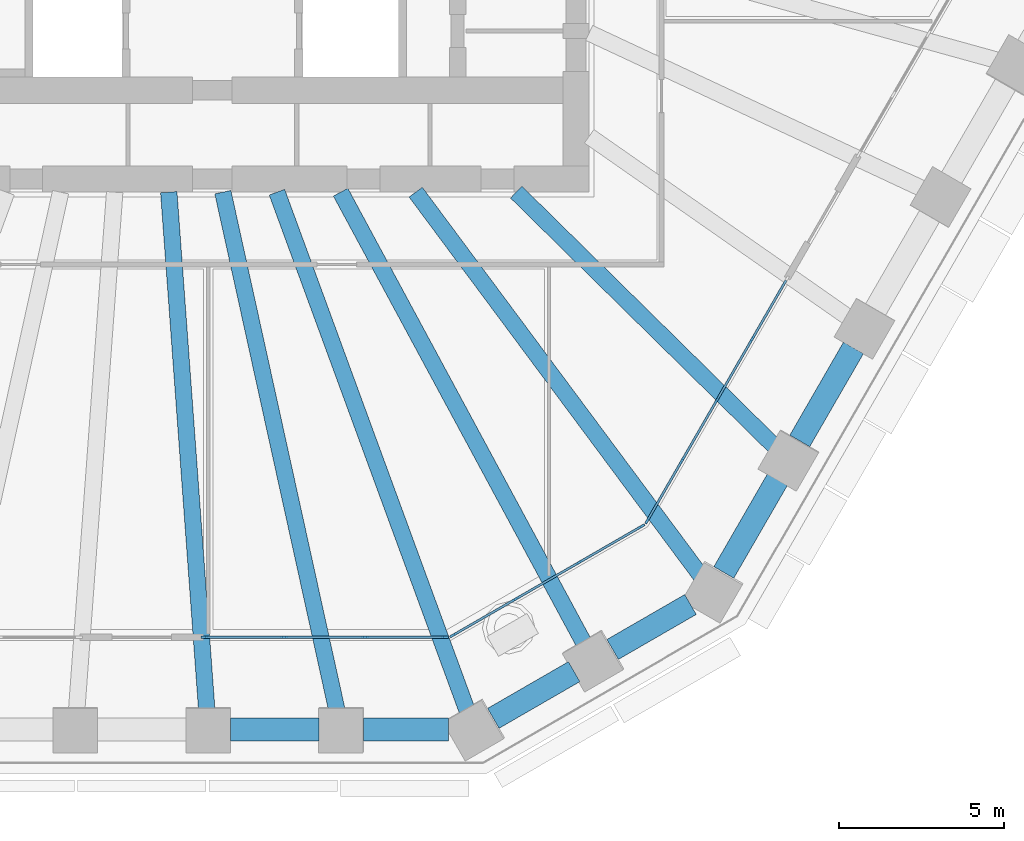
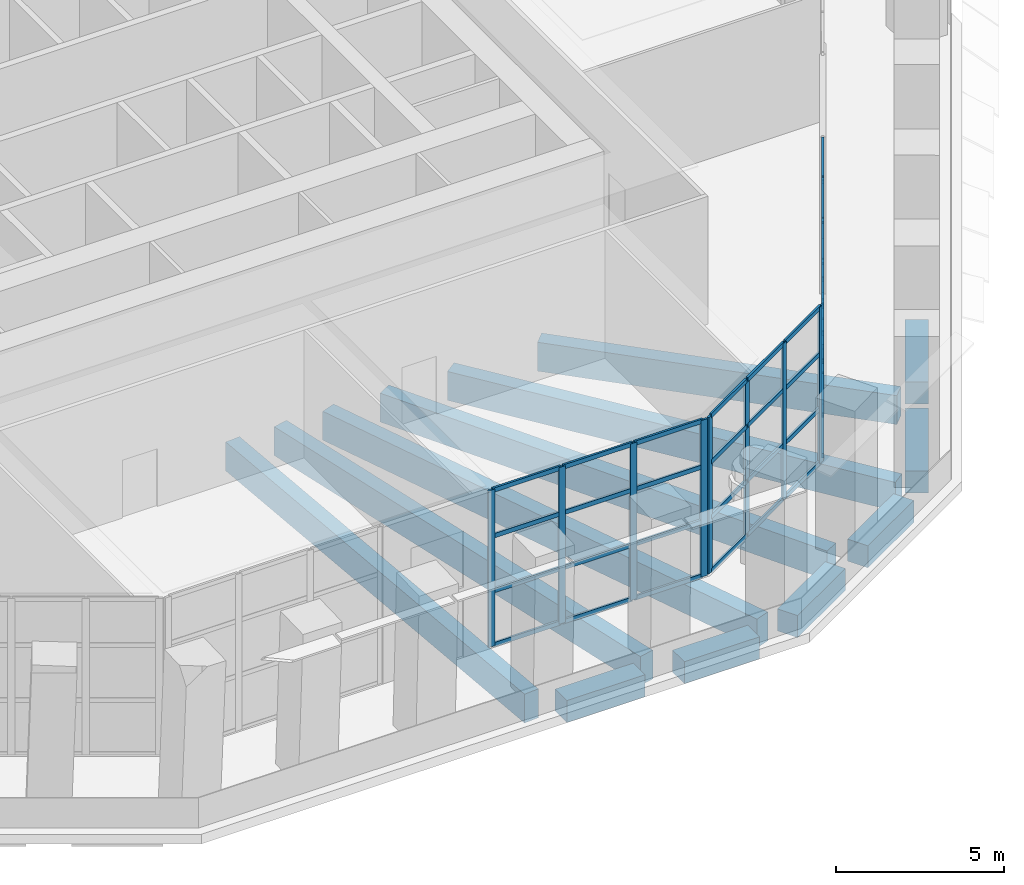
# One storey, part 4 of 22: 52 members, 12 beams, 3 elements without a shape of their own.
"""IFC4 building model written with IfcOpenShell, lengths in metres."""

from ifc_helpers import new_model, si_unit, direction, frame, origin, origin_2d, place, context, subcontext, project, spatial, rectangle, extrude, material, material_profile, profile_set, type_object, element, aggregate, save


model = new_model("IFC4")

# Units and contexts
model_context = context("Model", 3, precision=1e-05, world=origin(), true_north=direction((0.0, 1.0)))
body_context = subcontext(model_context, "Body", "Model", "MODEL_VIEW")
ifc_project = project(units=[si_unit("LENGTHUNIT", "METRE"), si_unit("AREAUNIT", "SQUARE_METRE"), si_unit("VOLUMEUNIT", "CUBIC_METRE"), si_unit("PLANEANGLEUNIT", "RADIAN"), si_unit("MASSUNIT", "GRAM", prefix="KILO")], contexts=[model_context])

# Site, building, storey
site_placement = place(None, origin())
site = spatial("IfcSite", under=ifc_project, at=site_placement, CompositionType="ELEMENT")
building_placement = place(site_placement, origin())
building = spatial("IfcBuilding", under=site, at=building_placement, Name="Frailejon Research Tower", CompositionType="ELEMENT")
storey_placement = place(building_placement, frame((0.0, 0.0, 107.199951171875)))
storey = spatial("IfcBuildingStorey", under=building, at=storey_placement, Name="L23", CompositionType="ELEMENT", Elevation=107.199951171875)

# Beams
ifc_material_1 = material(Name="Concrete C60/75", Category="concrete")
ifc_material_profile_1 = material_profile(ifc_material_1, rectangle(XDim=0.5, YDim=1.050048828125, at=origin_2d()), Name="Girder 500x1050")
ifc_profile_set_1 = profile_set([ifc_material_profile_1], Name="Concrete C60/75")
beam_type_1 = type_object("IfcBeamType", Name="Girder 500x1050", PredefinedType="BEAM", material=ifc_profile_set_1)
beam_1_placement = place(storey_placement, frame((1.981689453125, -27.00439453125, -0.824951171875), z_axis=(-0.073179335607, 0.997318797998, 0.0), x_axis=(-0.997318797998, -0.073179335607, 0.0)))
element("IfcBeam", 1, at=beam_1_placement, inside=storey, type_object=beam_type_1, Name="Girder 500x1050", PredefinedType="BEAM", context=body_context, shape_type="SweptSolid", body=[
    extrude(rectangle(XDim=0.5, YDim=1.050048828125, at=origin_2d()), origin(), (0.0, 0.0, 1.0), 15.846923828125),
])
beam_2_placement = place(storey_placement, frame((5.944091796875, -27.001220703125, -0.824951171875), z_axis=(-0.214993618571, 0.976615453479, 0.0), x_axis=(-0.976615453479, -0.214993618571, 0.0)))
element("IfcBeam", 2, at=beam_2_placement, inside=storey, type_object=beam_type_1, Name="Girder 500x1050", PredefinedType="BEAM", context=body_context, shape_type="SweptSolid", body=[
    extrude(rectangle(XDim=0.5, YDim=1.050048828125, at=origin_2d()), origin(), (0.0, 0.0, 1.0), 16.1796875),
])
beam_3_placement = place(storey_placement, frame((9.91650390625, -27.02734375, -0.824951171875), z_axis=(-0.344450797926, 0.938804371426, 0.0), x_axis=(-0.938804371426, -0.344450797926, 0.0)))
element("IfcBeam", 3, at=beam_3_placement, inside=storey, type_object=beam_type_1, Name="Girder 500x1050", PredefinedType="BEAM", context=body_context, shape_type="SweptSolid", body=[
    extrude(rectangle(XDim=0.5, YDim=1.050048828125, at=origin_2d()), origin(), (0.0, 0.0, 1.0), 16.859130859375),
])
beam_4_placement = place(storey_placement, frame((13.477783203125, -24.9736328125, -0.824951171875), z_axis=(-0.474929341402, 0.880023931877, 0.0), x_axis=(-0.880023931877, -0.474929341402, 0.0)))
element("IfcBeam", 4, at=beam_4_placement, inside=storey, type_object=beam_type_1, Name="Girder 500x1050", PredefinedType="BEAM", context=body_context, shape_type="SweptSolid", body=[
    extrude(rectangle(XDim=0.5, YDim=1.050048828125, at=origin_2d()), origin(), (0.0, 0.0, 1.0), 15.6513671875),
])
beam_5_placement = place(storey_placement, frame((17.004638671875, -22.872314453125, -0.824951171875), z_axis=(-0.596637633836, 0.802510768707, 0.0), x_axis=(-0.802510768707, -0.596637633836, 0.0)))
element("IfcBeam", 5, at=beam_5_placement, inside=storey, type_object=beam_type_1, Name="Girder 500x1050", PredefinedType="BEAM", context=body_context, shape_type="SweptSolid", body=[
    extrude(rectangle(XDim=0.5, YDim=1.050048828125, at=origin_2d()), origin(), (0.0, 0.0, 1.0), 14.544921875),
])
beam_6_placement = place(storey_placement, frame((19.271484375, -18.96142578125, -0.824951171875), z_axis=(-0.712819428468, 0.701347604544, 0.0), x_axis=(-0.701347604544, -0.712819428468, 0.0)))
element("IfcBeam", 6, at=beam_6_placement, inside=storey, type_object=beam_type_1, Name="Girder 500x1050", PredefinedType="BEAM", context=body_context, shape_type="SweptSolid", body=[
    extrude(rectangle(XDim=0.5, YDim=1.050048828125, at=origin_2d()), origin(), (0.0, 0.0, 1.0), 11.06640625),
])

# Curtain wall, members
ifc_material_2 = material(Name="Aluminium curtain wall", Category="aluminium")
curtain_wall_type = type_object("IfcCurtainWallType", Name="Sky lobby curtain wall system", PredefinedType="NOTDEFINED", material=ifc_material_2)
curtain_wall_1_placement = place(storey_placement, origin())
curtain_wall_1 = element("IfcCurtainWall", 7, at=curtain_wall_1_placement, inside=storey, type_object=curtain_wall_type, Name="Curtain wall L23", PredefinedType="NOTDEFINED")
ifc_material_3 = material(Name="Aluminium extrusion", Category="aluminium")
ifc_material_profile_2 = material_profile(ifc_material_3, rectangle(XDim=0.070068359375, YDim=0.219970703125, at=origin_2d()), Name="Sky lobby curtain wall mullion 70x220")
ifc_profile_set_2 = profile_set([ifc_material_profile_2], Name="Aluminium extrusion")
member_type_1 = type_object("IfcMemberType", Name="Sky lobby curtain wall mullion 70x220", PredefinedType="MULLION", material=ifc_profile_set_2)
member_1_placement = place(storey_placement, frame((1.905029296875, -24.729736328125, 0.0), z_axis=(0.0, 0.0, 1.0), x_axis=(0.0, 1.0, 0.0)))
member_1 = element("IfcMember", 8, at=member_1_placement, type_object=member_type_1, Name="CW4-095 mullion 1", PredefinedType="MULLION", context=body_context, shape_type="SweptSolid", body=[
    extrude(rectangle(XDim=0.070068359375, YDim=0.219970703125, at=origin_2d()), origin(), (0.0, 0.0, 1.0), 5.699951171875),
])
member_2_placement = place(storey_placement, frame((4.330322265625, -24.729736328125, 0.0), z_axis=(0.0, 0.0, 1.0), x_axis=(0.0, 1.0, 0.0)))
member_2 = element("IfcMember", 9, at=member_2_placement, type_object=member_type_1, Name="CW4-095 mullion 2", PredefinedType="MULLION", context=body_context, shape_type="SweptSolid", body=[
    extrude(rectangle(XDim=0.070068359375, YDim=0.219970703125, at=origin_2d()), origin(), (0.0, 0.0, 1.0), 5.699951171875),
])
member_3_placement = place(storey_placement, frame((6.79052734375, -24.729736328125, 0.0), z_axis=(0.0, 0.0, 1.0), x_axis=(0.0, 1.0, 0.0)))
member_3 = element("IfcMember", 10, at=member_3_placement, type_object=member_type_1, Name="CW4-095 mullion 3", PredefinedType="MULLION", context=body_context, shape_type="SweptSolid", body=[
    extrude(rectangle(XDim=0.070068359375, YDim=0.219970703125, at=origin_2d()), origin(), (0.0, 0.0, 1.0), 5.699951171875),
])
member_4_placement = place(storey_placement, frame((9.215576171875, -24.729736328125, 0.0), z_axis=(0.0, 0.0, 1.0), x_axis=(0.0, 1.0, 0.0)))
member_4 = element("IfcMember", 11, at=member_4_placement, type_object=member_type_1, Name="CW4-095 mullion 4", PredefinedType="MULLION", context=body_context, shape_type="SweptSolid", body=[
    extrude(rectangle(XDim=0.070068359375, YDim=0.219970703125, at=origin_2d()), origin(), (0.0, 0.0, 1.0), 5.699951171875),
])

curtain_wall_2_placement = place(storey_placement, origin())
curtain_wall_2 = element("IfcCurtainWall", 12, at=curtain_wall_2_placement, inside=storey, type_object=curtain_wall_type, Name="Curtain wall L23", PredefinedType="NOTDEFINED")
member_5_placement = place(storey_placement, frame((9.467529296875, -24.662109375, 0.0), z_axis=(0.0, 0.0, 1.0), x_axis=(-0.50000949527, 0.866019921618, 0.0)))
member_5 = element("IfcMember", 13, at=member_5_placement, type_object=member_type_1, Name="CW4-096 mullion 1", PredefinedType="MULLION", context=body_context, shape_type="SweptSolid", body=[
    extrude(rectangle(XDim=0.070068359375, YDim=0.219970703125, at=origin_2d()), origin(), (0.0, 0.0, 1.0), 5.699951171875),
])
member_6_placement = place(storey_placement, frame((11.364013671875, -23.567138671875, 0.0), z_axis=(0.0, 0.0, 1.0), x_axis=(-0.50000949527, 0.866019921618, 0.0)))
member_6 = element("IfcMember", 14, at=member_6_placement, type_object=member_type_1, Name="CW4-096 mullion 2", PredefinedType="MULLION", context=body_context, shape_type="SweptSolid", body=[
    extrude(rectangle(XDim=0.070068359375, YDim=0.219970703125, at=origin_2d()), origin(), (0.0, 0.0, 1.0), 5.699951171875),
])
member_7_placement = place(storey_placement, frame((13.290771484375, -22.454833984375, 0.0), z_axis=(0.0, 0.0, 1.0), x_axis=(-0.50000949527, 0.866019921618, 0.0)))
member_7 = element("IfcMember", 15, at=member_7_placement, type_object=member_type_1, Name="CW4-096 mullion 3", PredefinedType="MULLION", context=body_context, shape_type="SweptSolid", body=[
    extrude(rectangle(XDim=0.070068359375, YDim=0.219970703125, at=origin_2d()), origin(), (0.0, 0.0, 1.0), 5.699951171875),
])
member_8_placement = place(storey_placement, frame((15.187255859375, -21.35986328125, 0.0), z_axis=(0.0, 0.0, 1.0), x_axis=(-0.50000949527, 0.866019921618, 0.0)))
member_8 = element("IfcMember", 16, at=member_8_placement, type_object=member_type_1, Name="CW4-096 mullion 4", PredefinedType="MULLION", context=body_context, shape_type="SweptSolid", body=[
    extrude(rectangle(XDim=0.070068359375, YDim=0.219970703125, at=origin_2d()), origin(), (0.0, 0.0, 1.0), 5.699951171875),
])

curtain_wall_3_placement = place(storey_placement, origin())
curtain_wall_3 = element("IfcCurtainWall", 17, at=curtain_wall_3_placement, inside=storey, type_object=curtain_wall_type, Name="Curtain wall L23", PredefinedType="NOTDEFINED")
member_9_placement = place(storey_placement, frame((15.37158203125, -21.17529296875, 0.0), z_axis=(0.0, 0.0, 1.0), x_axis=(-0.866025500668, 0.499999832193, 0.0)))
member_9 = element("IfcMember", 18, at=member_9_placement, type_object=member_type_1, Name="CW4-097 mullion 1", PredefinedType="MULLION", context=body_context, shape_type="SweptSolid", body=[
    extrude(rectangle(XDim=0.070068359375, YDim=0.219970703125, at=origin_2d()), origin(), (0.0, 0.0, 1.0), 5.699951171875),
])
member_10_placement = place(storey_placement, frame((16.42041015625, -19.35888671875, 0.0), z_axis=(0.0, 0.0, 1.0), x_axis=(-0.866025500668, 0.499999832193, 0.0)))
member_10 = element("IfcMember", 19, at=member_10_placement, type_object=member_type_1, Name="CW4-097 mullion 2", PredefinedType="MULLION", context=body_context, shape_type="SweptSolid", body=[
    extrude(rectangle(XDim=0.070068359375, YDim=0.219970703125, at=origin_2d()), origin(), (0.0, 0.0, 1.0), 5.699951171875),
])
member_11_placement = place(storey_placement, frame((17.48681640625, -17.51220703125, 0.0), z_axis=(0.0, 0.0, 1.0), x_axis=(-0.866025500668, 0.499999832193, 0.0)))
member_11 = element("IfcMember", 20, at=member_11_placement, type_object=member_type_1, Name="CW4-097 mullion 3", PredefinedType="MULLION", context=body_context, shape_type="SweptSolid", body=[
    extrude(rectangle(XDim=0.070068359375, YDim=0.219970703125, at=origin_2d()), origin(), (0.0, 0.0, 1.0), 5.699951171875),
])
member_12_placement = place(storey_placement, frame((18.552978515625, -15.665283203125, 0.0), z_axis=(0.0, 0.0, 1.0), x_axis=(-0.866025500668, 0.499999832193, 0.0)))
member_12 = element("IfcMember", 21, at=member_12_placement, type_object=member_type_1, Name="CW4-097 mullion 4", PredefinedType="MULLION", context=body_context, shape_type="SweptSolid", body=[
    extrude(rectangle(XDim=0.070068359375, YDim=0.219970703125, at=origin_2d()), origin(), (0.0, 0.0, 1.0), 5.699951171875),
])

# Member
ifc_material_4 = material(Name="Aluminium extrusion", Category="aluminium")
ifc_material_profile_3 = material_profile(ifc_material_4, rectangle(XDim=0.070068359375, YDim=0.159912109375, at=origin_2d()), Name="Sky lobby curtain wall transom 70x160")
ifc_profile_set_3 = profile_set([ifc_material_profile_3], Name="Aluminium extrusion")
member_type_2 = type_object("IfcMemberType", Name="Sky lobby curtain wall transom 70x160", PredefinedType="USERDEFINED", material=ifc_profile_set_3)
member_13_placement = place(storey_placement, frame((1.940185546875, -24.729736328125, 0.03515625), z_axis=(1.0, 0.0, 0.0), x_axis=(0.0, 1.0, 0.0)))
member_13 = element("IfcMember", 22, at=member_13_placement, type_object=member_type_2, Name="CW4-095 transom 1.1", ObjectType="TRANSOM", PredefinedType="USERDEFINED", context=body_context, shape_type="SweptSolid", body=[
    extrude(rectangle(XDim=0.070068359375, YDim=0.159912109375, at=origin_2d()), origin(), (0.0, 0.0, 1.0), 2.35498046875),
])

member_14_placement = place(storey_placement, frame((1.940185546875, -24.729736328125, 2.0), z_axis=(1.0, 0.0, 0.0), x_axis=(0.0, 1.0, 0.0)))
member_14 = element("IfcMember", 23, at=member_14_placement, type_object=member_type_2, Name="CW4-095 transom 1.2", ObjectType="TRANSOM", PredefinedType="USERDEFINED", context=body_context, shape_type="SweptSolid", body=[
    extrude(rectangle(XDim=0.070068359375, YDim=0.159912109375, at=origin_2d()), origin(), (0.0, 0.0, 1.0), 2.35498046875),
])

member_15_placement = place(storey_placement, frame((1.940185546875, -24.729736328125, 4.0), z_axis=(1.0, 0.0, 0.0), x_axis=(0.0, 1.0, 0.0)))
member_15 = element("IfcMember", 24, at=member_15_placement, type_object=member_type_2, Name="CW4-095 transom 1.3", ObjectType="TRANSOM", PredefinedType="USERDEFINED", context=body_context, shape_type="SweptSolid", body=[
    extrude(rectangle(XDim=0.070068359375, YDim=0.159912109375, at=origin_2d()), origin(), (0.0, 0.0, 1.0), 2.35498046875),
])

member_16_placement = place(storey_placement, frame((1.940185546875, -24.729736328125, 5.6650390625), z_axis=(1.0, 0.0, 0.0), x_axis=(0.0, 1.0, 0.0)))
member_16 = element("IfcMember", 25, at=member_16_placement, type_object=member_type_2, Name="CW4-095 transom 1.4", ObjectType="TRANSOM", PredefinedType="USERDEFINED", context=body_context, shape_type="SweptSolid", body=[
    extrude(rectangle(XDim=0.070068359375, YDim=0.159912109375, at=origin_2d()), origin(), (0.0, 0.0, 1.0), 2.35498046875),
])

member_17_placement = place(storey_placement, frame((4.365234375, -24.729736328125, 0.03515625), z_axis=(1.0, 0.0, 0.0), x_axis=(0.0, 1.0, 0.0)))
member_17 = element("IfcMember", 26, at=member_17_placement, type_object=member_type_2, Name="CW4-095 transom 2.1", ObjectType="TRANSOM", PredefinedType="USERDEFINED", context=body_context, shape_type="SweptSolid", body=[
    extrude(rectangle(XDim=0.070068359375, YDim=0.159912109375, at=origin_2d()), origin(), (0.0, 0.0, 1.0), 2.39013671875),
])

member_18_placement = place(storey_placement, frame((4.365234375, -24.729736328125, 2.0), z_axis=(1.0, 0.0, 0.0), x_axis=(0.0, 1.0, 0.0)))
member_18 = element("IfcMember", 27, at=member_18_placement, type_object=member_type_2, Name="CW4-095 transom 2.2", ObjectType="TRANSOM", PredefinedType="USERDEFINED", context=body_context, shape_type="SweptSolid", body=[
    extrude(rectangle(XDim=0.070068359375, YDim=0.159912109375, at=origin_2d()), origin(), (0.0, 0.0, 1.0), 2.39013671875),
])

member_19_placement = place(storey_placement, frame((4.365234375, -24.729736328125, 4.0), z_axis=(1.0, 0.0, 0.0), x_axis=(0.0, 1.0, 0.0)))
member_19 = element("IfcMember", 28, at=member_19_placement, type_object=member_type_2, Name="CW4-095 transom 2.3", ObjectType="TRANSOM", PredefinedType="USERDEFINED", context=body_context, shape_type="SweptSolid", body=[
    extrude(rectangle(XDim=0.070068359375, YDim=0.159912109375, at=origin_2d()), origin(), (0.0, 0.0, 1.0), 2.39013671875),
])

member_20_placement = place(storey_placement, frame((4.365234375, -24.729736328125, 5.6650390625), z_axis=(1.0, 0.0, 0.0), x_axis=(0.0, 1.0, 0.0)))
member_20 = element("IfcMember", 29, at=member_20_placement, type_object=member_type_2, Name="CW4-095 transom 2.4", ObjectType="TRANSOM", PredefinedType="USERDEFINED", context=body_context, shape_type="SweptSolid", body=[
    extrude(rectangle(XDim=0.070068359375, YDim=0.159912109375, at=origin_2d()), origin(), (0.0, 0.0, 1.0), 2.39013671875),
])

member_21_placement = place(storey_placement, frame((6.825439453125, -24.729736328125, 0.03515625), z_axis=(1.0, 0.0, 0.0), x_axis=(0.0, 1.0, 0.0)))
member_21 = element("IfcMember", 30, at=member_21_placement, type_object=member_type_2, Name="CW4-095 transom 3.1", ObjectType="TRANSOM", PredefinedType="USERDEFINED", context=body_context, shape_type="SweptSolid", body=[
    extrude(rectangle(XDim=0.070068359375, YDim=0.159912109375, at=origin_2d()), origin(), (0.0, 0.0, 1.0), 2.355224609375),
])

member_22_placement = place(storey_placement, frame((6.825439453125, -24.729736328125, 2.0), z_axis=(1.0, 0.0, 0.0), x_axis=(0.0, 1.0, 0.0)))
member_22 = element("IfcMember", 31, at=member_22_placement, type_object=member_type_2, Name="CW4-095 transom 3.2", ObjectType="TRANSOM", PredefinedType="USERDEFINED", context=body_context, shape_type="SweptSolid", body=[
    extrude(rectangle(XDim=0.070068359375, YDim=0.159912109375, at=origin_2d()), origin(), (0.0, 0.0, 1.0), 2.355224609375),
])

member_23_placement = place(storey_placement, frame((6.825439453125, -24.729736328125, 4.0), z_axis=(1.0, 0.0, 0.0), x_axis=(0.0, 1.0, 0.0)))
member_23 = element("IfcMember", 32, at=member_23_placement, type_object=member_type_2, Name="CW4-095 transom 3.3", ObjectType="TRANSOM", PredefinedType="USERDEFINED", context=body_context, shape_type="SweptSolid", body=[
    extrude(rectangle(XDim=0.070068359375, YDim=0.159912109375, at=origin_2d()), origin(), (0.0, 0.0, 1.0), 2.355224609375),
])

member_24_placement = place(storey_placement, frame((6.825439453125, -24.729736328125, 5.6650390625), z_axis=(1.0, 0.0, 0.0), x_axis=(0.0, 1.0, 0.0)))
member_24 = element("IfcMember", 33, at=member_24_placement, type_object=member_type_2, Name="CW4-095 transom 3.4", ObjectType="TRANSOM", PredefinedType="USERDEFINED", context=body_context, shape_type="SweptSolid", body=[
    extrude(rectangle(XDim=0.070068359375, YDim=0.159912109375, at=origin_2d()), origin(), (0.0, 0.0, 1.0), 2.355224609375),
])

aggregate(curtain_wall_1, [member_1, member_2, member_3, member_4, member_13, member_14, member_15, member_16, member_17, member_18, member_19, member_20, member_21, member_22, member_23, member_24])

member_25_placement = place(storey_placement, frame((9.497802734375, -24.644775390625, 0.03515625), z_axis=(0.866009148195, 0.50002815445, 0.0), x_axis=(-0.50002815445, 0.866009148195, 0.0)))
member_25 = element("IfcMember", 34, at=member_25_placement, type_object=member_type_2, Name="CW4-096 transom 1.1", ObjectType="TRANSOM", PredefinedType="USERDEFINED", context=body_context, shape_type="SweptSolid", body=[
    extrude(rectangle(XDim=0.070068359375, YDim=0.159912109375, at=origin_2d()), origin(), (0.0, 0.0, 1.0), 2.1201171875),
])

member_26_placement = place(storey_placement, frame((9.497802734375, -24.644775390625, 2.0), z_axis=(0.866009148195, 0.50002815445, 0.0), x_axis=(-0.50002815445, 0.866009148195, 0.0)))
member_26 = element("IfcMember", 35, at=member_26_placement, type_object=member_type_2, Name="CW4-096 transom 1.2", ObjectType="TRANSOM", PredefinedType="USERDEFINED", context=body_context, shape_type="SweptSolid", body=[
    extrude(rectangle(XDim=0.070068359375, YDim=0.159912109375, at=origin_2d()), origin(), (0.0, 0.0, 1.0), 2.1201171875),
])

member_27_placement = place(storey_placement, frame((9.497802734375, -24.644775390625, 4.0), z_axis=(0.866009148195, 0.50002815445, 0.0), x_axis=(-0.50002815445, 0.866009148195, 0.0)))
member_27 = element("IfcMember", 36, at=member_27_placement, type_object=member_type_2, Name="CW4-096 transom 1.3", ObjectType="TRANSOM", PredefinedType="USERDEFINED", context=body_context, shape_type="SweptSolid", body=[
    extrude(rectangle(XDim=0.070068359375, YDim=0.159912109375, at=origin_2d()), origin(), (0.0, 0.0, 1.0), 2.1201171875),
])

member_28_placement = place(storey_placement, frame((9.497802734375, -24.644775390625, 5.6650390625), z_axis=(0.866009148195, 0.50002815445, 0.0), x_axis=(-0.50002815445, 0.866009148195, 0.0)))
member_28 = element("IfcMember", 37, at=member_28_placement, type_object=member_type_2, Name="CW4-096 transom 1.4", ObjectType="TRANSOM", PredefinedType="USERDEFINED", context=body_context, shape_type="SweptSolid", body=[
    extrude(rectangle(XDim=0.070068359375, YDim=0.159912109375, at=origin_2d()), origin(), (0.0, 0.0, 1.0), 2.1201171875),
])

member_29_placement = place(storey_placement, frame((11.394287109375, -23.5498046875, 0.03515625), z_axis=(0.865989367796, 0.500062410969, 0.0), x_axis=(-0.500062410969, 0.865989367796, 0.0)))
member_29 = element("IfcMember", 38, at=member_29_placement, type_object=member_type_2, Name="CW4-096 transom 2.1", ObjectType="TRANSOM", PredefinedType="USERDEFINED", context=body_context, shape_type="SweptSolid", body=[
    extrude(rectangle(XDim=0.070068359375, YDim=0.159912109375, at=origin_2d()), origin(), (0.0, 0.0, 1.0), 2.155029296875),
])

member_30_placement = place(storey_placement, frame((11.394287109375, -23.5498046875, 2.0), z_axis=(0.865989367796, 0.500062410969, 0.0), x_axis=(-0.500062410969, 0.865989367796, 0.0)))
member_30 = element("IfcMember", 39, at=member_30_placement, type_object=member_type_2, Name="CW4-096 transom 2.2", ObjectType="TRANSOM", PredefinedType="USERDEFINED", context=body_context, shape_type="SweptSolid", body=[
    extrude(rectangle(XDim=0.070068359375, YDim=0.159912109375, at=origin_2d()), origin(), (0.0, 0.0, 1.0), 2.155029296875),
])

member_31_placement = place(storey_placement, frame((11.394287109375, -23.5498046875, 4.0), z_axis=(0.865989367796, 0.500062410969, 0.0), x_axis=(-0.500062410969, 0.865989367796, 0.0)))
member_31 = element("IfcMember", 40, at=member_31_placement, type_object=member_type_2, Name="CW4-096 transom 2.3", ObjectType="TRANSOM", PredefinedType="USERDEFINED", context=body_context, shape_type="SweptSolid", body=[
    extrude(rectangle(XDim=0.070068359375, YDim=0.159912109375, at=origin_2d()), origin(), (0.0, 0.0, 1.0), 2.155029296875),
])

member_32_placement = place(storey_placement, frame((11.394287109375, -23.5498046875, 5.6650390625), z_axis=(0.865989367796, 0.500062410969, 0.0), x_axis=(-0.500062410969, 0.865989367796, 0.0)))
member_32 = element("IfcMember", 41, at=member_32_placement, type_object=member_type_2, Name="CW4-096 transom 2.4", ObjectType="TRANSOM", PredefinedType="USERDEFINED", context=body_context, shape_type="SweptSolid", body=[
    extrude(rectangle(XDim=0.070068359375, YDim=0.159912109375, at=origin_2d()), origin(), (0.0, 0.0, 1.0), 2.155029296875),
])

member_33_placement = place(storey_placement, frame((13.321044921875, -22.437255859375, 0.03515625), z_axis=(0.866009148195, 0.50002815445, 0.0), x_axis=(-0.50002815445, 0.866009148195, 0.0)))
member_33 = element("IfcMember", 42, at=member_33_placement, type_object=member_type_2, Name="CW4-096 transom 3.1", ObjectType="TRANSOM", PredefinedType="USERDEFINED", context=body_context, shape_type="SweptSolid", body=[
    extrude(rectangle(XDim=0.070068359375, YDim=0.159912109375, at=origin_2d()), origin(), (0.0, 0.0, 1.0), 2.1201171875),
])

member_34_placement = place(storey_placement, frame((13.321044921875, -22.437255859375, 2.0), z_axis=(0.866009148195, 0.50002815445, 0.0), x_axis=(-0.50002815445, 0.866009148195, 0.0)))
member_34 = element("IfcMember", 43, at=member_34_placement, type_object=member_type_2, Name="CW4-096 transom 3.2", ObjectType="TRANSOM", PredefinedType="USERDEFINED", context=body_context, shape_type="SweptSolid", body=[
    extrude(rectangle(XDim=0.070068359375, YDim=0.159912109375, at=origin_2d()), origin(), (0.0, 0.0, 1.0), 2.1201171875),
])

member_35_placement = place(storey_placement, frame((13.321044921875, -22.437255859375, 4.0), z_axis=(0.866009148195, 0.50002815445, 0.0), x_axis=(-0.50002815445, 0.866009148195, 0.0)))
member_35 = element("IfcMember", 44, at=member_35_placement, type_object=member_type_2, Name="CW4-096 transom 3.3", ObjectType="TRANSOM", PredefinedType="USERDEFINED", context=body_context, shape_type="SweptSolid", body=[
    extrude(rectangle(XDim=0.070068359375, YDim=0.159912109375, at=origin_2d()), origin(), (0.0, 0.0, 1.0), 2.1201171875),
])

member_36_placement = place(storey_placement, frame((13.321044921875, -22.437255859375, 5.6650390625), z_axis=(0.866009148195, 0.50002815445, 0.0), x_axis=(-0.50002815445, 0.866009148195, 0.0)))
member_36 = element("IfcMember", 45, at=member_36_placement, type_object=member_type_2, Name="CW4-096 transom 3.4", ObjectType="TRANSOM", PredefinedType="USERDEFINED", context=body_context, shape_type="SweptSolid", body=[
    extrude(rectangle(XDim=0.070068359375, YDim=0.159912109375, at=origin_2d()), origin(), (0.0, 0.0, 1.0), 2.1201171875),
])

aggregate(curtain_wall_2, [member_5, member_6, member_7, member_8, member_25, member_26, member_27, member_28, member_29, member_30, member_31, member_32, member_33, member_34, member_35, member_36])

member_37_placement = place(storey_placement, frame((15.38916015625, -21.14501953125, 0.03515625), z_axis=(0.499972622635, 0.866041209536, 0.0), x_axis=(-0.866041209536, 0.499972622635, 0.0)))
member_37 = element("IfcMember", 46, at=member_37_placement, type_object=member_type_2, Name="CW4-097 transom 1.1", ObjectType="TRANSOM", PredefinedType="USERDEFINED", context=body_context, shape_type="SweptSolid", body=[
    extrude(rectangle(XDim=0.070068359375, YDim=0.159912109375, at=origin_2d()), origin(), (0.0, 0.0, 1.0), 2.02734375),
])

member_38_placement = place(storey_placement, frame((15.38916015625, -21.14501953125, 2.0), z_axis=(0.499972622635, 0.866041209536, 0.0), x_axis=(-0.866041209536, 0.499972622635, 0.0)))
member_38 = element("IfcMember", 47, at=member_38_placement, type_object=member_type_2, Name="CW4-097 transom 1.2", ObjectType="TRANSOM", PredefinedType="USERDEFINED", context=body_context, shape_type="SweptSolid", body=[
    extrude(rectangle(XDim=0.070068359375, YDim=0.159912109375, at=origin_2d()), origin(), (0.0, 0.0, 1.0), 2.02734375),
])

member_39_placement = place(storey_placement, frame((15.38916015625, -21.14501953125, 4.0), z_axis=(0.499972622635, 0.866041209536, 0.0), x_axis=(-0.866041209536, 0.499972622635, 0.0)))
member_39 = element("IfcMember", 48, at=member_39_placement, type_object=member_type_2, Name="CW4-097 transom 1.3", ObjectType="TRANSOM", PredefinedType="USERDEFINED", context=body_context, shape_type="SweptSolid", body=[
    extrude(rectangle(XDim=0.070068359375, YDim=0.159912109375, at=origin_2d()), origin(), (0.0, 0.0, 1.0), 2.02734375),
])

member_40_placement = place(storey_placement, frame((15.38916015625, -21.14501953125, 5.6650390625), z_axis=(0.499972622635, 0.866041209536, 0.0), x_axis=(-0.866041209536, 0.499972622635, 0.0)))
member_40 = element("IfcMember", 49, at=member_40_placement, type_object=member_type_2, Name="CW4-097 transom 1.4", ObjectType="TRANSOM", PredefinedType="USERDEFINED", context=body_context, shape_type="SweptSolid", body=[
    extrude(rectangle(XDim=0.070068359375, YDim=0.159912109375, at=origin_2d()), origin(), (0.0, 0.0, 1.0), 2.02734375),
])

member_41_placement = place(storey_placement, frame((16.43798828125, -19.32861328125, 0.03515625), z_axis=(0.500009360108, 0.866019999656, 0.0), x_axis=(-0.866019999656, 0.500009360108, 0.0)))
member_41 = element("IfcMember", 50, at=member_41_placement, type_object=member_type_2, Name="CW4-097 transom 2.1", ObjectType="TRANSOM", PredefinedType="USERDEFINED", context=body_context, shape_type="SweptSolid", body=[
    extrude(rectangle(XDim=0.070068359375, YDim=0.159912109375, at=origin_2d()), origin(), (0.0, 0.0, 1.0), 2.0625),
])

member_42_placement = place(storey_placement, frame((16.43798828125, -19.32861328125, 2.0), z_axis=(0.500009360108, 0.866019999656, 0.0), x_axis=(-0.866019999656, 0.500009360108, 0.0)))
member_42 = element("IfcMember", 51, at=member_42_placement, type_object=member_type_2, Name="CW4-097 transom 2.2", ObjectType="TRANSOM", PredefinedType="USERDEFINED", context=body_context, shape_type="SweptSolid", body=[
    extrude(rectangle(XDim=0.070068359375, YDim=0.159912109375, at=origin_2d()), origin(), (0.0, 0.0, 1.0), 2.0625),
])

member_43_placement = place(storey_placement, frame((16.43798828125, -19.32861328125, 4.0), z_axis=(0.500009360108, 0.866019999656, 0.0), x_axis=(-0.866019999656, 0.500009360108, 0.0)))
member_43 = element("IfcMember", 52, at=member_43_placement, type_object=member_type_2, Name="CW4-097 transom 2.3", ObjectType="TRANSOM", PredefinedType="USERDEFINED", context=body_context, shape_type="SweptSolid", body=[
    extrude(rectangle(XDim=0.070068359375, YDim=0.159912109375, at=origin_2d()), origin(), (0.0, 0.0, 1.0), 2.0625),
])

member_44_placement = place(storey_placement, frame((16.43798828125, -19.32861328125, 5.6650390625), z_axis=(0.500009360108, 0.866019999656, 0.0), x_axis=(-0.866019999656, 0.500009360108, 0.0)))
member_44 = element("IfcMember", 53, at=member_44_placement, type_object=member_type_2, Name="CW4-097 transom 2.4", ObjectType="TRANSOM", PredefinedType="USERDEFINED", context=body_context, shape_type="SweptSolid", body=[
    extrude(rectangle(XDim=0.070068359375, YDim=0.159912109375, at=origin_2d()), origin(), (0.0, 0.0, 1.0), 2.0625),
])

member_45_placement = place(storey_placement, frame((17.504150390625, -17.481689453125, 0.03515625), z_axis=(0.500009360108, 0.866019999656, 0.0), x_axis=(-0.866019999656, 0.500009360108, 0.0)))
member_45 = element("IfcMember", 54, at=member_45_placement, type_object=member_type_2, Name="CW4-097 transom 3.1", ObjectType="TRANSOM", PredefinedType="USERDEFINED", context=body_context, shape_type="SweptSolid", body=[
    extrude(rectangle(XDim=0.070068359375, YDim=0.159912109375, at=origin_2d()), origin(), (0.0, 0.0, 1.0), 2.0625),
])

member_46_placement = place(storey_placement, frame((17.504150390625, -17.481689453125, 2.0), z_axis=(0.500009360108, 0.866019999656, 0.0), x_axis=(-0.866019999656, 0.500009360108, 0.0)))
member_46 = element("IfcMember", 55, at=member_46_placement, type_object=member_type_2, Name="CW4-097 transom 3.2", ObjectType="TRANSOM", PredefinedType="USERDEFINED", context=body_context, shape_type="SweptSolid", body=[
    extrude(rectangle(XDim=0.070068359375, YDim=0.159912109375, at=origin_2d()), origin(), (0.0, 0.0, 1.0), 2.0625),
])

member_47_placement = place(storey_placement, frame((17.504150390625, -17.481689453125, 4.0), z_axis=(0.500009360108, 0.866019999656, 0.0), x_axis=(-0.866019999656, 0.500009360108, 0.0)))
member_47 = element("IfcMember", 56, at=member_47_placement, type_object=member_type_2, Name="CW4-097 transom 3.3", ObjectType="TRANSOM", PredefinedType="USERDEFINED", context=body_context, shape_type="SweptSolid", body=[
    extrude(rectangle(XDim=0.070068359375, YDim=0.159912109375, at=origin_2d()), origin(), (0.0, 0.0, 1.0), 2.0625),
])

member_48_placement = place(storey_placement, frame((17.504150390625, -17.481689453125, 5.6650390625), z_axis=(0.500009360108, 0.866019999656, 0.0), x_axis=(-0.866019999656, 0.500009360108, 0.0)))
member_48 = element("IfcMember", 57, at=member_48_placement, type_object=member_type_2, Name="CW4-097 transom 3.4", ObjectType="TRANSOM", PredefinedType="USERDEFINED", context=body_context, shape_type="SweptSolid", body=[
    extrude(rectangle(XDim=0.070068359375, YDim=0.159912109375, at=origin_2d()), origin(), (0.0, 0.0, 1.0), 2.0625),
])

member_49_placement = place(storey_placement, frame((18.570556640625, -15.635009765625, 0.03515625), z_axis=(0.499972622635, 0.866041209536, 0.0), x_axis=(-0.866041209536, 0.499972622635, 0.0)))
member_49 = element("IfcMember", 58, at=member_49_placement, type_object=member_type_2, Name="CW4-097 transom 4.1", ObjectType="TRANSOM", PredefinedType="USERDEFINED", context=body_context, shape_type="SweptSolid", body=[
    extrude(rectangle(XDim=0.070068359375, YDim=0.159912109375, at=origin_2d()), origin(), (0.0, 0.0, 1.0), 2.02734375),
])

member_50_placement = place(storey_placement, frame((18.570556640625, -15.635009765625, 2.0), z_axis=(0.499972622635, 0.866041209536, 0.0), x_axis=(-0.866041209536, 0.499972622635, 0.0)))
member_50 = element("IfcMember", 59, at=member_50_placement, type_object=member_type_2, Name="CW4-097 transom 4.2", ObjectType="TRANSOM", PredefinedType="USERDEFINED", context=body_context, shape_type="SweptSolid", body=[
    extrude(rectangle(XDim=0.070068359375, YDim=0.159912109375, at=origin_2d()), origin(), (0.0, 0.0, 1.0), 2.02734375),
])

member_51_placement = place(storey_placement, frame((18.570556640625, -15.635009765625, 4.0), z_axis=(0.499972622635, 0.866041209536, 0.0), x_axis=(-0.866041209536, 0.499972622635, 0.0)))
member_51 = element("IfcMember", 60, at=member_51_placement, type_object=member_type_2, Name="CW4-097 transom 4.3", ObjectType="TRANSOM", PredefinedType="USERDEFINED", context=body_context, shape_type="SweptSolid", body=[
    extrude(rectangle(XDim=0.070068359375, YDim=0.159912109375, at=origin_2d()), origin(), (0.0, 0.0, 1.0), 2.02734375),
])

member_52_placement = place(storey_placement, frame((18.570556640625, -15.635009765625, 5.6650390625), z_axis=(0.499972622635, 0.866041209536, 0.0), x_axis=(-0.866041209536, 0.499972622635, 0.0)))
member_52 = element("IfcMember", 61, at=member_52_placement, type_object=member_type_2, Name="CW4-097 transom 4.4", ObjectType="TRANSOM", PredefinedType="USERDEFINED", context=body_context, shape_type="SweptSolid", body=[
    extrude(rectangle(XDim=0.070068359375, YDim=0.159912109375, at=origin_2d()), origin(), (0.0, 0.0, 1.0), 2.02734375),
])

aggregate(curtain_wall_3, [member_9, member_10, member_11, member_12, member_37, member_38, member_39, member_40, member_41, member_42, member_43, member_44, member_45, member_46, member_47, member_48, member_49, member_50, member_51, member_52])

# Beams
ifc_material_5 = material(Name="Concrete C60/75", Category="concrete")
ifc_material_profile_4 = material_profile(ifc_material_5, rectangle(XDim=0.699951171875, YDim=0.800048828125, at=origin_2d()), Name="Spandrel 700x800")
ifc_profile_set_4 = profile_set([ifc_material_profile_4], Name="Concrete C60/75")
beam_type_2 = type_object("IfcBeamType", Name="Spandrel 700x800", PredefinedType="BEAM", material=ifc_profile_set_4)
beam_7_placement = place(storey_placement, frame((2.6953125, -27.52978515625, -0.75), z_axis=(1.0, 0.0, 0.0), x_axis=(0.0, 1.0, 0.0)))
element("IfcBeam", 62, at=beam_7_placement, inside=storey, type_object=beam_type_2, Name="Spandrel 700x800", PredefinedType="BEAM", context=body_context, shape_type="SweptSolid", body=[
    extrude(rectangle(XDim=0.699951171875, YDim=0.800048828125, at=origin_2d()), origin(), (0.0, 0.0, 1.0), 2.690185546875),
])
beam_8_placement = place(storey_placement, frame((6.735595703125, -27.52978515625, -0.75), z_axis=(1.0, 0.0, 0.0), x_axis=(0.0, 1.0, 0.0)))
element("IfcBeam", 63, at=beam_8_placement, inside=storey, type_object=beam_type_2, Name="Spandrel 700x800", PredefinedType="BEAM", context=body_context, shape_type="SweptSolid", body=[
    extrude(rectangle(XDim=0.699951171875, YDim=0.800048828125, at=origin_2d()), origin(), (0.0, 0.0, 1.0), 2.5859375),
])
beam_9_placement = place(storey_placement, frame((10.685546875, -27.192138671875, -0.75), z_axis=(0.866026538634, 0.499998034377, 0.0), x_axis=(-0.499998034377, 0.866026538634, 0.0)))
element("IfcBeam", 64, at=beam_9_placement, inside=storey, type_object=beam_type_2, Name="Spandrel 700x800", PredefinedType="BEAM", context=body_context, shape_type="SweptSolid", body=[
    extrude(rectangle(XDim=0.699951171875, YDim=0.800048828125, at=origin_2d()), origin(), (0.0, 0.0, 1.0), 2.83740234375),
])
beam_10_placement = place(storey_placement, frame((14.31201171875, -25.098388671875, -0.75), z_axis=(0.866002615699, 0.500039468044, 0.0), x_axis=(-0.500039468044, 0.866002615699, 0.0)))
element("IfcBeam", 65, at=beam_10_placement, inside=storey, type_object=beam_type_2, Name="Spandrel 700x800", PredefinedType="BEAM", context=body_context, shape_type="SweptSolid", body=[
    extrude(rectangle(XDim=0.699951171875, YDim=0.800048828125, at=origin_2d()), origin(), (0.0, 0.0, 1.0), 2.733154296875),
])
for number, where, z_axis, x_axis, name in (
    (66, (17.69140625, -22.757568359375, -0.75), (0.500007244493, 0.866021221134, 0.0), (-0.866021221134, 0.500007244493, 0.0), "Spandrel 700x800"),
    (67, (19.9990234375, -18.7607421875, -0.75), (0.500007244493, 0.866021221134, 0.0), (-0.866021221134, 0.500007244493, 0.0), "Spandrel 700x800"),
):
    element("IfcBeam", number, at=place(storey_placement, frame(where, z_axis=z_axis, x_axis=x_axis)), inside=storey, type_object=beam_type_2, Name=name, PredefinedType="BEAM", context=body_context, shape_type="SweptSolid", body=[
        extrude(rectangle(XDim=0.699951171875, YDim=0.800048828125, at=origin_2d()), origin(), (0.0, 0.0, 1.0), 3.26513671875),
    ])

save(model, "model.ifc")
